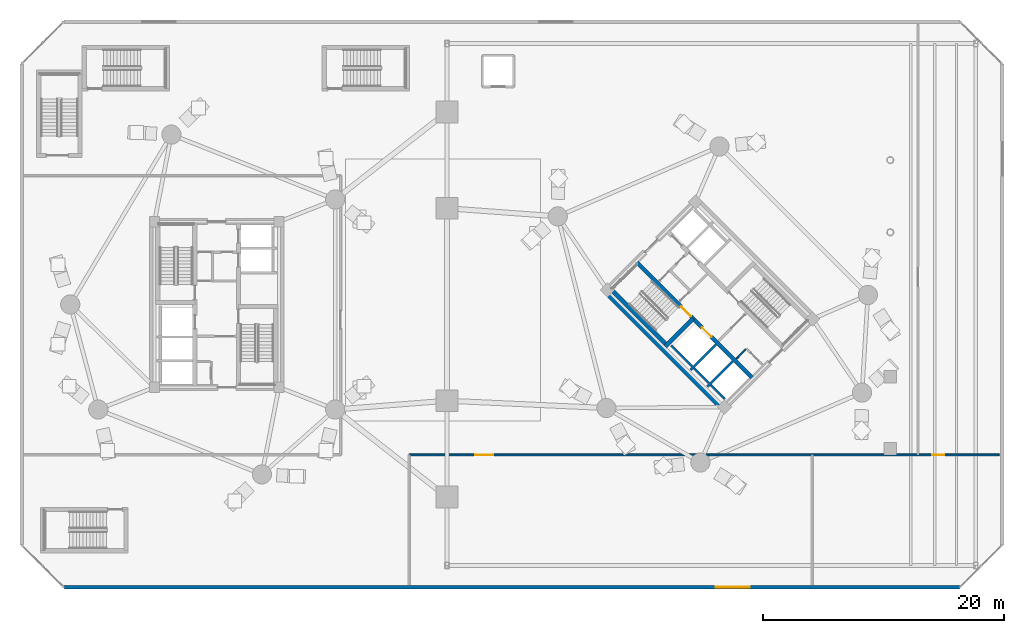
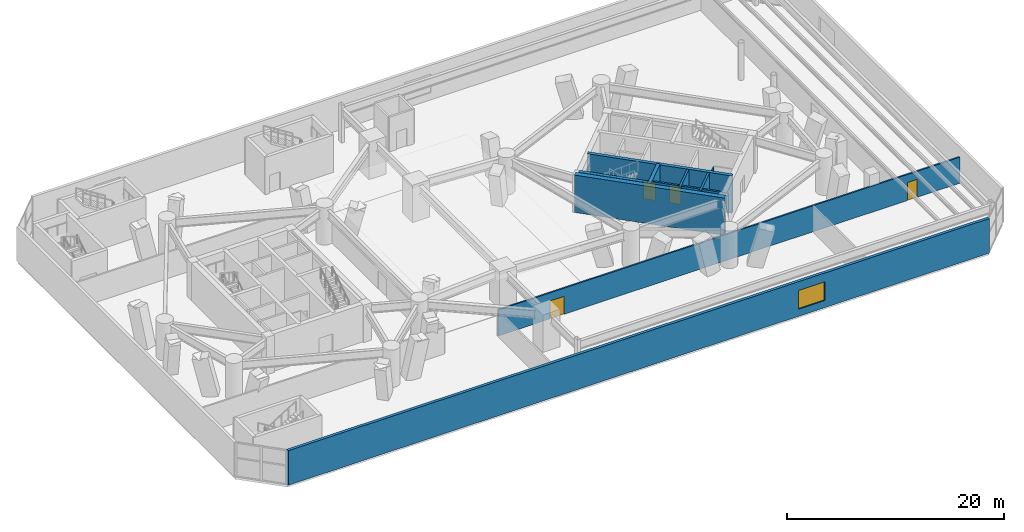
# One storey, part 12 of 20: 12 walls, 4 doors, 1 window, 5 openings.
"""IFC4 building model written with IfcOpenShell, lengths in metres."""

from ifc_helpers import new_model, si_unit, direction, frame, frame_2d, origin, place, context, subcontext, project, spatial, rectangle, extrude, source, transform, mapped, material, layer, layer_set, type_object, element, fill, save


model = new_model("IFC4")

# Units and contexts
model_context = context("Model", 3, precision=1e-05, world=origin(), true_north=direction((0.0, 1.0)))
body_context = subcontext(model_context, "Body", "Model", "MODEL_VIEW")
ifc_project = project(units=[si_unit("LENGTHUNIT", "METRE"), si_unit("AREAUNIT", "SQUARE_METRE"), si_unit("VOLUMEUNIT", "CUBIC_METRE"), si_unit("PLANEANGLEUNIT", "RADIAN"), si_unit("MASSUNIT", "GRAM", prefix="KILO")], contexts=[model_context])

# Site, building, storey
site_placement = place(None, origin())
site = spatial("IfcSite", under=ifc_project, at=site_placement, CompositionType="ELEMENT")
building_placement = place(site_placement, origin())
building = spatial("IfcBuilding", under=site, at=building_placement, Name="Cununo Teusaquillo Station Towers", CompositionType="ELEMENT")
storey_placement = place(building_placement, frame((0.0, 0.0, 9.0)))
storey = spatial("IfcBuildingStorey", under=building, at=storey_placement, Name="L02", CompositionType="ELEMENT", Elevation=9.0)

# Walls
ifc_material_1 = material(Name="Concrete C50/60", Category="concrete")
ifc_layer_1 = layer(ifc_material_1, 0.199951171875)
ifc_layer_set_1 = layer_set([ifc_layer_1], Name="Concrete C50/60")
wall_type_1 = type_object("IfcWallType", Name="WL-CORE-200", PredefinedType="SHEAR", material=ifc_layer_set_1)
wall_1_placement = place(storey_placement, frame((55.8876953125, 19.0693359375, 0.0), z_axis=(0.0, 0.0, 1.0), x_axis=(0.707106781187, 0.707106781187, 0.0)))
element("IfcWall", 1, at=wall_1_placement, inside=storey, type_object=wall_type_1, Name="L02 Tower B Firefighting Lift Shaft South Shear Wall", PredefinedType="SHEAR", context=body_context, shape_type="SweptSolid", body=[
    extrude(rectangle(XDim=2.969970703125, YDim=0.199951171875, at=frame_2d((1.48486328125, 0.0))), origin(), (0.0, 0.0, 1.0), 4.199951171875),
])
wall_2_placement = place(storey_placement, frame((56.01513671875, 19.366455078125, 0.0), z_axis=(0.0, 0.0, 1.0), x_axis=(-0.707106781187, 0.707106781187, 0.0)))
element("IfcWall", 2, at=wall_2_placement, inside=storey, type_object=wall_type_1, Name="L02 Tower B Firefighting Lift Shaft Rear Shear Wall", PredefinedType="SHEAR", context=body_context, shape_type="SweptSolid", body=[
    extrude(rectangle(XDim=2.43994140625, YDim=0.199951171875, at=frame_2d((1.219970703125, 0.0))), origin(), (0.0, 0.0, 1.0), 4.199951171875),
])
wall_3_placement = place(storey_placement, frame((57.2841796875, 17.6728515625, 0.0), z_axis=(0.0, 0.0, 1.0), x_axis=(0.707147878904, 0.70706568108, 0.0)))
element("IfcWall", 3, at=wall_3_placement, inside=storey, type_object=wall_type_1, Name="L02 Tower B High-Rise Lift Hoistway Divider Shear Wall", PredefinedType="SHEAR", context=body_context, shape_type="SweptSolid", body=[
    extrude(rectangle(XDim=2.97021484375, YDim=0.199951171875, at=frame_2d((1.485107421875, 0.0))), origin(), (0.0, 0.0, 1.0), 4.199951171875),
])
wall_4_placement = place(storey_placement, frame((57.41162109375, 17.969970703125, 0.0), z_axis=(0.0, 0.0, 1.0), x_axis=(-0.707106781187, 0.707106781187, 0.0)))
element("IfcWall", 4, at=wall_4_placement, inside=storey, type_object=wall_type_1, Name="L02 Tower B High-Rise Lift 2 Shaft Rear Shear Wall", PredefinedType="SHEAR", context=body_context, shape_type="SweptSolid", body=[
    extrude(rectangle(XDim=1.73486328125, YDim=0.199951171875, at=frame_2d((0.867431640625, 0.0))), origin(), (0.0, 0.0, 1.0), 4.199951171875),
])
wall_5_placement = place(storey_placement, frame((58.7373046875, 16.64404296875, 0.0), z_axis=(0.0, 0.0, 1.0), x_axis=(-0.707032117043, 0.707181437447, 0.0)))
element("IfcWall", 5, at=wall_5_placement, inside=storey, type_object=wall_type_1, Name="L02 Tower B High-Rise Lift 1 Shaft Rear Shear Wall", PredefinedType="SHEAR", context=body_context, shape_type="SweptSolid", body=[
    extrude(rectangle(XDim=1.635009765625, YDim=0.199951171875, at=frame_2d((0.8173828125, 0.0))), origin(), (0.0, 0.0, 1.0), 4.199951171875),
])

# Wall, openings, doors
ifc_material_2 = material(Name="Concrete C50/60", Category="concrete")
ifc_layer_2 = layer(ifc_material_2, 0.35009765625)
ifc_layer_set_2 = layer_set([ifc_layer_2], Name="Concrete C50/60")
wall_type_2 = type_object("IfcWallType", Name="WL-CORE-350", PredefinedType="SHEAR", material=ifc_layer_set_2)
wall_6_placement = place(storey_placement, frame((61.095703125, 18.337646484375, 0.0), z_axis=(0.0, 0.0, 1.0), x_axis=(-0.707106781187, 0.707106781187, 0.0)))
wall_6 = element("IfcWall", 6, at=wall_6_placement, inside=storey, type_object=wall_type_2, Name="L02 Tower B Core Shear Wall IW", PredefinedType="SHEAR", context=body_context, shape_type="SweptSolid", body=[
    extrude(rectangle(XDim=13.800048828125, YDim=0.35009765625, at=frame_2d((6.89990234375, 0.0))), origin(), (0.0, 0.0, 1.0), 4.199951171875),
])
shared_shape_1 = source(origin(), body_context, "Body", "SweptSolid", [
    extrude(rectangle(XDim=1.10009765625, YDim=2.014892578125, at=frame_2d((0.550048828125, 1.00732421875))), frame((0.0, 0.18505859375, 0.0), z_axis=(0.0, -1.0, 0.0), x_axis=(1.0, 0.0, 0.0)), (0.0, 0.0, 1.0), 0.3701171875),
])
opening_1_placement = place(wall_6_placement, frame((4.89990234375, 0.0, 0.0)))
opening_1 = element("IfcOpeningElement", 7, at=opening_1_placement, cuts=wall_6, Name="Opening LD-01", PredefinedType="OPENING", context=body_context, shape_type="MappedRepresentation", body=[
    mapped(shared_shape_1, transform((0.0, 0.0, 0.0), x_axis=(1.0, 0.0, 0.0), y_axis=(0.0, 1.0, 0.0), z_axis=(0.0, 0.0, 1.0), scale=1.0)),
])
shared_shape_2 = source(origin(), body_context, "Body", "SweptSolid", [
    extrude(rectangle(XDim=1.14990234375, YDim=2.02001953125, at=frame_2d((0.574951171875, 1.010009765625))), frame((0.0, 0.18505859375, 0.0), z_axis=(0.0, -1.0, 0.0), x_axis=(1.0, 0.0, 0.0)), (0.0, 0.0, 1.0), 0.3701171875),
])
opening_2_placement = place(wall_6_placement, frame((7.320068359375, 0.0, 0.0)))
opening_2 = element("IfcOpeningElement", 8, at=opening_2_placement, cuts=wall_6, Name="Opening D-ST1", PredefinedType="OPENING", context=body_context, shape_type="MappedRepresentation", body=[
    mapped(shared_shape_2, transform((0.0, 0.0, 0.0), x_axis=(1.0, 0.0, 0.0), y_axis=(0.0, 1.0, 0.0), z_axis=(0.0, 0.0, 1.0), scale=1.0)),
])
ifc_material_3 = material(Name="Galvanised fire-rated hollow steel door assembly", Category="steel")
door_type_1 = type_object("IfcDoorType", Name="DR-LIFT-1100", OperationType="SLIDING_TO_LEFT", PredefinedType="DOOR", material=ifc_material_3)
shared_shape_3 = source(origin(), body_context, "Body", "SweptSolid", [
    extrude(rectangle(XDim=1.10009765625, YDim=2.014892578125, at=frame_2d((0.550048828125, 1.00732421875))), frame((0.0, 0.02490234375, 0.0), z_axis=(0.0, -1.0, 0.0), x_axis=(1.0, 0.0, 0.0)), (0.0, 0.0, 1.0), 0.050048828125),
])
door_1_placement = place(opening_1_placement, origin())
door_1 = element("IfcDoor", 9, at=door_1_placement, inside=storey, type_object=door_type_1, Name="L02 Lift FL-T2 Sliding Landing Door", OperationType="SLIDING_TO_RIGHT", OverallHeight=2.014892578125, OverallWidth=1.10009765625, PredefinedType="DOOR", context=body_context, shape_type="MappedRepresentation", body=[
    mapped(shared_shape_3, transform((0.0, 0.0, 0.0), x_axis=(1.0, 0.0, 0.0), y_axis=(0.0, 1.0, 0.0), z_axis=(0.0, 0.0, 1.0), scale=1.0)),
])
fill(opening_1, door_1)
ifc_material_4 = material(Name="Galvanised fire-rated hollow steel door assembly", Category="steel")
door_type_2 = type_object("IfcDoorType", Name="DR-STAIR-1150", OperationType="NOTDEFINED", PredefinedType="DOOR", material=ifc_material_4)
shared_shape_4 = source(origin(), body_context, "Body", "SweptSolid", [
    extrude(rectangle(XDim=1.14990234375, YDim=2.02001953125, at=frame_2d((0.574951171875, 1.010009765625))), frame((0.0, 0.02490234375, 0.0), z_axis=(0.0, -1.0, 0.0), x_axis=(1.0, 0.0, 0.0)), (0.0, 0.0, 1.0), 0.050048828125),
])
door_2_placement = place(opening_2_placement, origin())
door_2 = element("IfcDoor", 10, at=door_2_placement, inside=storey, type_object=door_type_2, Name="L02 Tower B Exit Stair 1 Fire Door", OperationType="SINGLE_SWING_LEFT", OverallHeight=2.02001953125, OverallWidth=1.14990234375, PredefinedType="DOOR", context=body_context, shape_type="MappedRepresentation", body=[
    mapped(shared_shape_4, transform((0.0, 0.0, 0.0), x_axis=(1.0, 0.0, 0.0), y_axis=(0.0, 1.0, 0.0), z_axis=(0.0, 0.0, 1.0), scale=1.0)),
])
fill(opening_2, door_2)

# Walls
wall_7_placement = place(storey_placement, frame((53.922119140625, 21.14111328125, 0.0), z_axis=(0.0, 0.0, 1.0), x_axis=(-0.707106781187, 0.707106781187, 0.0)))
element("IfcWall", 11, at=wall_7_placement, inside=storey, type_object=wall_type_2, Name="L02 Tower B Core Shear Wall ST1W", PredefinedType="SHEAR", context=body_context, shape_type="SweptSolid", body=[
    extrude(rectangle(XDim=6.7451171875, YDim=0.35009765625, at=frame_2d((3.37255859375, 0.0))), origin(), (0.0, 0.0, 1.0), 4.199951171875),
])
wall_8_placement = place(storey_placement, frame((53.7841796875, 21.00341796875, 0.0), z_axis=(0.0, 0.0, 1.0), x_axis=(0.707106781187, 0.707106781187, 0.0)))
element("IfcWall", 12, at=wall_8_placement, inside=storey, type_object=wall_type_2, Name="L02 Tower B Core Shear Wall ST1S", PredefinedType="SHEAR", context=body_context, shape_type="SweptSolid", body=[
    extrude(rectangle(XDim=3.284912109375, YDim=0.35009765625, at=frame_2d((1.642578125, 0.0))), origin(), (0.0, 0.0, 1.0), 4.199951171875),
])
ifc_material_5 = material(Name="Concrete C60/75", Category="concrete")
ifc_layer_3 = layer(ifc_material_5, 0.5)
ifc_layer_set_3 = layer_set([ifc_layer_3], Name="Concrete C60/75")
wall_type_3 = type_object("IfcWallType", Name="WL-CORE-500", PredefinedType="SHEAR", material=ifc_layer_set_3)
wall_9_placement = place(storey_placement, frame((58.772705078125, 15.6611328125, 0.0), z_axis=(0.0, 0.0, 1.0), x_axis=(-0.707106781187, 0.707106781187, 0.0)))
element("IfcWall", 13, at=wall_9_placement, inside=storey, type_object=wall_type_3, Name="L02 Tower B Core Shear Wall W", PredefinedType="SHEAR", context=body_context, shape_type="SweptSolid", body=[
    extrude(rectangle(XDim=14.2998046875, YDim=0.5, at=frame_2d((7.14990234375, 0.0))), origin(), (0.0, 0.0, 1.0), 4.199951171875),
])

# Wall, opening, window
ifc_material_6 = material(Name="Precast concrete C40/50", Category="concrete")
ifc_layer_4 = layer(ifc_material_6, 0.300048828125)
ifc_layer_set_4 = layer_set([ifc_layer_4], Name="Precast concrete C40/50")
wall_type_4 = type_object("IfcWallType", Name="WL-EXT-300", PredefinedType="SOLIDWALL", material=ifc_layer_set_4)
wall_10_placement = place(storey_placement, frame((78.300048828125, 1.0, 0.0), z_axis=(0.0, 0.0, 1.0), x_axis=(-1.0, 0.0, 0.0)))
wall_10 = element("IfcWall", 14, at=wall_10_placement, inside=storey, type_object=wall_type_4, Name="L02 Station Podium Facade Wall 7", PredefinedType="SOLIDWALL", context=body_context, shape_type="SweptSolid", body=[
    extrude(rectangle(XDim=74.5, YDim=0.300048828125, at=frame_2d((37.25, 0.0))), origin(), (0.0, 0.0, 1.0), 3.885009765625),
])
shared_shape_5 = source(origin(), body_context, "Body", "SweptSolid", [
    extrude(rectangle(XDim=2.800048828125, YDim=2.10009765625, at=frame_2d((1.39990234375, 1.050048828125))), frame((0.0, 0.159912109375, 0.0), z_axis=(0.0, -1.0, 0.0), x_axis=(1.0, 0.0, 0.0)), (0.0, 0.0, 1.0), 0.320068359375),
])
opening_3_placement = place(wall_10_placement, frame((17.5, 0.0, 0.800048828125)))
opening_3 = element("IfcOpeningElement", 15, at=opening_3_placement, cuts=wall_10, Name="Opening WN-05", PredefinedType="OPENING", context=body_context, shape_type="MappedRepresentation", body=[
    mapped(shared_shape_5, transform((0.0, 0.0, 0.0), x_axis=(1.0, 0.0, 0.0), y_axis=(0.0, 1.0, 0.0), z_axis=(0.0, 0.0, 1.0), scale=1.0)),
])
ifc_material_7 = material(Name="Laminated acoustic clear low-E glazing", Category="glass")
window_type = type_object("IfcWindowType", Name="WIN-POD-2800", PartitioningType="TRIPLE_PANEL_VERTICAL", PredefinedType="WINDOW", material=ifc_material_7)
shared_shape_6 = source(origin(), body_context, "Body", "SweptSolid", [
    extrude(rectangle(XDim=2.800048828125, YDim=2.10009765625, at=frame_2d((1.39990234375, 1.050048828125))), frame((0.0, 0.030029296875, 0.0), z_axis=(0.0, -1.0, 0.0), x_axis=(1.0, 0.0, 0.0)), (0.0, 0.0, 1.0), 0.06005859375),
])
window_placement = place(opening_3_placement, origin())
window = element("IfcWindow", 16, at=window_placement, inside=storey, type_object=window_type, Name="L02 Podium Ribbon Window 7.2", OverallHeight=2.10009765625, OverallWidth=2.800048828125, PartitioningType="TRIPLE_PANEL_VERTICAL", PredefinedType="WINDOW", context=body_context, shape_type="MappedRepresentation", body=[
    mapped(shared_shape_6, transform((0.0, 0.0, 0.0), x_axis=(1.0, 0.0, 0.0), y_axis=(0.0, 1.0, 0.0), z_axis=(0.0, 0.0, 1.0), scale=1.0)),
])
fill(opening_3, window)

# Wall
ifc_material_8 = material(Name="Fire-rated gypsum plasterboard partition assembly", Category="gypsum")
ifc_layer_5 = layer(ifc_material_8, 0.125)
ifc_layer_set_5 = layer_set([ifc_layer_5], Name="Fire-rated gypsum plasterboard partition assembly")
wall_type_5 = type_object("IfcWallType", Name="WL-PART-125", PredefinedType="PARTITIONING", material=ifc_layer_set_5)
wall_11_placement = place(storey_placement, frame((59.713134765625, 19.99560546875, 0.0), z_axis=(0.0, 0.0, 1.0), x_axis=(0.707217726, 0.706995818963, 0.0)))
element("IfcWall", 17, at=wall_11_placement, inside=storey, type_object=wall_type_5, Name="L02 Tower B South-West Compact Store North Wall", PredefinedType="PARTITIONING", context=body_context, shape_type="SweptSolid", body=[
    extrude(rectangle(XDim=1.10009765625, YDim=0.125, at=frame_2d((0.550048828125, 0.0))), origin(), (0.0, 0.0, 1.0), 3.885009765625),
])

# Wall, openings, doors
ifc_material_9 = material(Name="Fire-rated gypsum plasterboard partition assembly", Category="gypsum")
ifc_layer_6 = layer(ifc_material_9, 0.159912109375)
ifc_layer_set_6 = layer_set([ifc_layer_6], Name="Fire-rated gypsum plasterboard partition assembly")
wall_type_6 = type_object("IfcWallType", Name="WL-PART-160", PredefinedType="PARTITIONING", material=ifc_layer_set_6)
wall_12_placement = place(storey_placement, frame((32.5, 12.0, 0.0), z_axis=(0.0, 0.0, 1.0), x_axis=(1.0, 0.0, 0.0)))
wall_12 = element("IfcWall", 18, at=wall_12_placement, inside=storey, type_object=wall_type_6, Name="L02 South Wing Corridor Wall", PredefinedType="PARTITIONING", context=body_context, shape_type="SweptSolid", body=[
    extrude(rectangle(XDim=49.050048828125, YDim=0.159912109375, at=frame_2d((24.52490234375, 0.0))), origin(), (0.0, 0.0, 1.0), 2.928955078125),
])
shared_shape_7 = source(origin(), body_context, "Body", "SweptSolid", [
    extrude(rectangle(XDim=1.5, YDim=2.02001953125, at=frame_2d((0.75, 1.010009765625))), frame((0.0, 0.08984375, 0.0), z_axis=(0.0, -1.0, 0.0), x_axis=(1.0, 0.0, 0.0)), (0.0, 0.0, 1.0), 0.179931640625),
])
opening_4_placement = place(wall_12_placement, frame((5.5, 0.0, 0.0)))
opening_4 = element("IfcOpeningElement", 19, at=opening_4_placement, cuts=wall_12, Name="Opening D-LB1", PredefinedType="OPENING", context=body_context, shape_type="MappedRepresentation", body=[
    mapped(shared_shape_7, transform((0.0, 0.0, 0.0), x_axis=(1.0, 0.0, 0.0), y_axis=(0.0, 1.0, 0.0), z_axis=(0.0, 0.0, 1.0), scale=1.0)),
])
shared_shape_8 = source(origin(), body_context, "Body", "SweptSolid", [
    extrude(rectangle(XDim=1.0, YDim=2.014892578125, at=frame_2d((0.5, 1.00732421875))), frame((0.0, 0.08984375, 0.0), z_axis=(0.0, -1.0, 0.0), x_axis=(1.0, 0.0, 0.0)), (0.0, 0.0, 1.0), 0.179931640625),
])
opening_5_placement = place(wall_12_placement, frame((43.5, 0.0, 0.0)))
opening_5 = element("IfcOpeningElement", 20, at=opening_5_placement, cuts=wall_12, Name="Opening D-AC1", PredefinedType="OPENING", context=body_context, shape_type="MappedRepresentation", body=[
    mapped(shared_shape_8, transform((0.0, 0.0, 0.0), x_axis=(1.0, 0.0, 0.0), y_axis=(0.0, 1.0, 0.0), z_axis=(0.0, 0.0, 1.0), scale=1.0)),
])
ifc_material_10 = material(Name="Galvanised fire-rated hollow steel door assembly", Category="steel")
door_type_3 = type_object("IfcDoorType", Name="DR-LOBBY-1500", OperationType="DOUBLE_DOOR_SINGLE_SWING", PredefinedType="DOOR", material=ifc_material_10)
shared_shape_9 = source(origin(), body_context, "Body", "SweptSolid", [
    extrude(rectangle(XDim=1.5, YDim=2.02001953125, at=frame_2d((0.75, 1.010009765625))), frame((0.0, 0.02490234375, 0.0), z_axis=(0.0, -1.0, 0.0), x_axis=(1.0, 0.0, 0.0)), (0.0, 0.0, 1.0), 0.050048828125),
])
door_3_placement = place(opening_4_placement, origin())
door_3 = element("IfcDoor", 21, at=door_3_placement, inside=storey, type_object=door_type_3, Name="L02 South Salon Entrance Door", OperationType="DOUBLE_DOOR_SINGLE_SWING", OverallHeight=2.02001953125, OverallWidth=1.5, PredefinedType="DOOR", context=body_context, shape_type="MappedRepresentation", body=[
    mapped(shared_shape_9, transform((0.0, 0.0, 0.0), x_axis=(1.0, 0.0, 0.0), y_axis=(0.0, 1.0, 0.0), z_axis=(0.0, 0.0, 1.0), scale=1.0)),
])
fill(opening_4, door_3)
ifc_material_11 = material(Name="Acoustic solid-core hardwood leaf assembly", Category="wood")
door_type_4 = type_object("IfcDoorType", Name="DR-ACC-1000", OperationType="NOTDEFINED", PredefinedType="DOOR", material=ifc_material_11)
shared_shape_10 = source(origin(), body_context, "Body", "SweptSolid", [
    extrude(rectangle(XDim=1.0, YDim=2.014892578125, at=frame_2d((0.5, 1.00732421875))), frame((0.0, 0.02490234375, 0.0), z_axis=(0.0, -1.0, 0.0), x_axis=(1.0, 0.0, 0.0)), (0.0, 0.0, 1.0), 0.050048828125),
])
door_4_placement = place(opening_5_placement, origin())
door_4 = element("IfcDoor", 22, at=door_4_placement, inside=storey, type_object=door_type_4, Name="L02 Public & Accessible Restrooms Door", OperationType="SINGLE_SWING_RIGHT", OverallHeight=2.014892578125, OverallWidth=1.0, PredefinedType="DOOR", context=body_context, shape_type="MappedRepresentation", body=[
    mapped(shared_shape_10, transform((0.0, 0.0, 0.0), x_axis=(1.0, 0.0, 0.0), y_axis=(0.0, 1.0, 0.0), z_axis=(0.0, 0.0, 1.0), scale=1.0)),
])
fill(opening_5, door_4)

save(model, "model.ifc")
